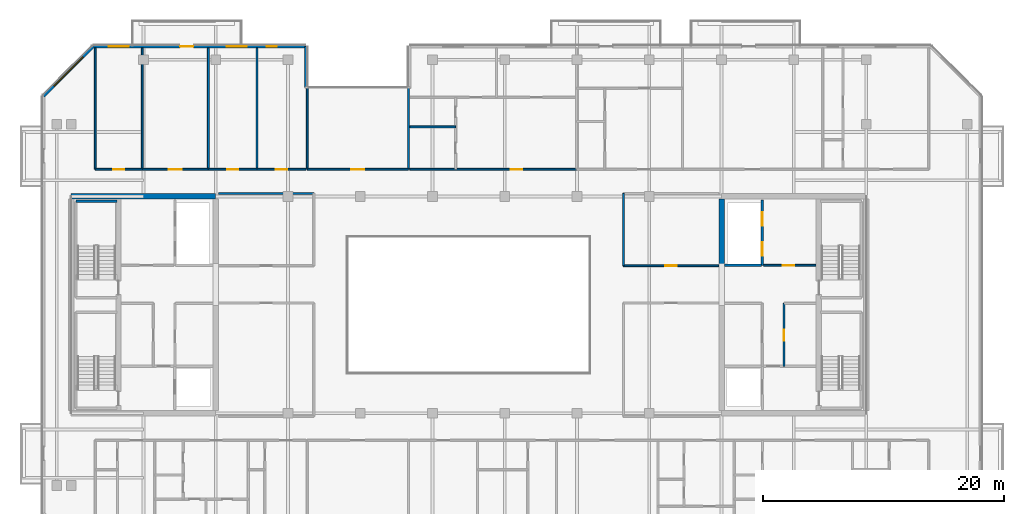
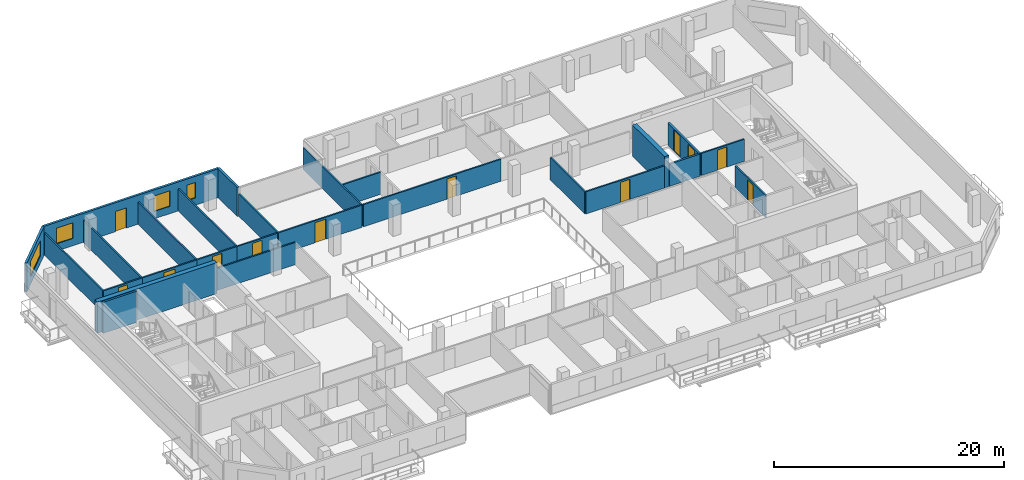
# One storey, part 13 of 20: 26 walls, 12 doors, 4 windows, 16 openings.
"""IFC4 building model written with IfcOpenShell, lengths in metres."""

from ifc_helpers import new_model, si_unit, direction, frame, frame_2d, origin, place, context, subcontext, project, spatial, rectangle, extrude, material, layer, layer_set, type_object, element, fill, save


model = new_model("IFC4")

# Units and contexts
model_context = context("Model", 3, precision=1e-05, world=origin(), true_north=direction((0.0, 1.0)))
body_context = subcontext(model_context, "Body", "Model", "MODEL_VIEW")
ifc_project = project(units=[si_unit("LENGTHUNIT", "METRE"), si_unit("AREAUNIT", "SQUARE_METRE"), si_unit("VOLUMEUNIT", "CUBIC_METRE"), si_unit("PLANEANGLEUNIT", "RADIAN"), si_unit("MASSUNIT", "GRAM", prefix="KILO")], contexts=[model_context])

# Site, building, storey
site_placement = place(None, origin())
site = spatial("IfcSite", under=ifc_project, at=site_placement, CompositionType="ELEMENT")
building_placement = place(site_placement, origin())
building = spatial("IfcBuilding", under=site, at=building_placement, Name="Tanjung Sevakor Pilgrim Tower", CompositionType="ELEMENT")
storey_placement = place(building_placement, frame((0.0, 0.0, 201.6298828125)))
storey = spatial("IfcBuildingStorey", under=building, at=storey_placement, Name="L56", CompositionType="ELEMENT", Elevation=201.6298828125)

# Walls
ifc_material_1 = material(Name="Concrete C60/75", Category="concrete")
ifc_layer_1 = layer(ifc_material_1, 0.449951171875)
ifc_layer_set_1 = layer_set([ifc_layer_1], Name="WALL-CW-450")
wall_type_1 = type_object("IfcWallType", Name="WALL-CW-450", PredefinedType="SHEAR", material=ifc_layer_set_1)
wall_1_placement = place(storey_placement, frame((36.0, 42.60009765625, 0.0), z_axis=(0.0, 0.0, 1.0), x_axis=(-1.0, 0.0, 0.0)))
element("IfcWall", 1, at=wall_1_placement, inside=storey, type_object=wall_type_1, Name="L56 W Core North Shear Wall", PredefinedType="SHEAR", context=body_context, shape_type="SweptSolid", body=[
    extrude(rectangle(XDim=12.0, YDim=0.449951171875, at=frame_2d((6.0, 0.0))), origin(), (0.0, 0.0, 1.0), 3.300048828125),
])
wall_2_placement = place(storey_placement, frame((78.0, 36.800048828125, 0.0), z_axis=(0.0, 0.0, 1.0), x_axis=(0.0, 1.0, 0.0)))
element("IfcWall", 2, at=wall_2_placement, inside=storey, type_object=wall_type_1, Name="L56 E Core Inner Shear Wall North", PredefinedType="SHEAR", context=body_context, shape_type="SweptSolid", body=[
    extrude(rectangle(XDim=5.574951171875, YDim=0.449951171875, at=frame_2d((2.78759765625, 0.0))), origin(), (0.0, 0.0, 1.0), 3.300048828125),
])

# Wall, opening, door
ifc_material_2 = material(Name="Concrete C40/50", Category="concrete")
ifc_layer_2 = layer(ifc_material_2, 0.14990234375)
ifc_layer_set_2 = layer_set([ifc_layer_2], Name="WT-COMP-150")
wall_type_2 = type_object("IfcWallType", Name="WT-COMP-150", PredefinedType="SOLIDWALL", material=ifc_layer_set_2)
wall_3_placement = place(storey_placement, frame((83.179931640625, 28.5, 0.0), z_axis=(0.0, 0.0, 1.0), x_axis=(0.0, 1.0, 0.0)))
wall_3 = element("IfcWall", 3, at=wall_3_placement, inside=storey, type_object=wall_type_2, Name="L56 Partition IW-L56-013", PredefinedType="SOLIDWALL", context=body_context, shape_type="SweptSolid", body=[
    extrude(rectangle(XDim=5.219970703125, YDim=0.14990234375, at=frame_2d((2.60986328125, 0.0))), origin(), (0.0, 0.0, 1.0), 2.35009765625),
])
opening_1_placement = place(wall_3_placement, frame((2.10009765625, 0.0, 0.0)))
opening_1 = element("IfcOpeningElement", 4, at=opening_1_placement, cuts=wall_3, Name="Opening ID-FD2", PredefinedType="OPENING", context=body_context, shape_type="SweptSolid", body=[
    extrude(rectangle(XDim=0.949951171875, YDim=2.14990234375, at=frame_2d((0.47509765625, 1.074951171875))), frame((0.0, 0.0849609375, 0.0), z_axis=(0.0, -1.0, 0.0), x_axis=(1.0, 0.0, 0.0)), (0.0, 0.0, 1.0), 0.169921875),
])
ifc_material_3 = material(Name="Fire-Rated Timber", Category="wood")
door_type_1 = type_object("IfcDoorType", Name="DT-FIRE-950", OperationType="NOTDEFINED", PredefinedType="DOOR", material=ifc_material_3)
door_1_placement = place(opening_1_placement, origin())
door_1 = element("IfcDoor", 5, at=door_1_placement, inside=storey, type_object=door_type_1, Name="L56 Housekeeping Pantry Door", OperationType="SINGLE_SWING_RIGHT", OverallHeight=2.14990234375, OverallWidth=0.949951171875, PredefinedType="DOOR", context=body_context, shape_type="SweptSolid", body=[
    extrude(rectangle(XDim=0.949951171875, YDim=2.14990234375, at=frame_2d((0.47509765625, 1.074951171875))), frame((0.0, 0.02490234375, 0.0), z_axis=(0.0, -1.0, 0.0), x_axis=(1.0, 0.0, 0.0)), (0.0, 0.0, 1.0), 0.050048828125),
])
fill(opening_1, door_1)

wall_4_placement = place(storey_placement, frame((81.5, 36.8798828125, 0.0), z_axis=(0.0, 0.0, 1.0), x_axis=(1.0, 0.0, 0.0)))
wall_4 = element("IfcWall", 6, at=wall_4_placement, inside=storey, type_object=wall_type_2, Name="L56 Partition IW-L56-016", PredefinedType="SOLIDWALL", context=body_context, shape_type="SweptSolid", body=[
    extrude(rectangle(XDim=4.330078125, YDim=0.14990234375, at=frame_2d((2.1650390625, 0.0))), origin(), (0.0, 0.0, 1.0), 2.35009765625),
])
opening_2_placement = place(wall_4_placement, frame((1.60009765625, 0.0, 0.0)))
opening_2 = element("IfcOpeningElement", 7, at=opening_2_placement, cuts=wall_4, Name="Opening ID-FD2", PredefinedType="OPENING", context=body_context, shape_type="SweptSolid", body=[
    extrude(rectangle(XDim=0.949951171875, YDim=2.14990234375, at=frame_2d((0.47509765625, 1.074951171875))), frame((0.0, 0.0849609375, 0.0), z_axis=(0.0, -1.0, 0.0), x_axis=(1.0, 0.0, 0.0)), (0.0, 0.0, 1.0), 0.169921875),
])
door_2_placement = place(opening_2_placement, origin())
door_2 = element("IfcDoor", 8, at=door_2_placement, inside=storey, type_object=door_type_1, Name="L56 Core Prayer Room Door", OperationType="SINGLE_SWING_RIGHT", OverallHeight=2.14990234375, OverallWidth=0.949951171875, PredefinedType="DOOR", context=body_context, shape_type="SweptSolid", body=[
    extrude(rectangle(XDim=0.949951171875, YDim=2.14990234375, at=frame_2d((0.47509765625, 1.074951171875))), frame((0.0, 0.02490234375, 0.0), z_axis=(0.0, -1.0, 0.0), x_axis=(1.0, 0.0, 0.0)), (0.0, 0.0, 1.0), 0.050048828125),
])
fill(opening_2, door_2)

# Wall
wall_5_placement = place(storey_placement, frame((36.2451171875, 42.85009765625, 0.0), z_axis=(0.0, 0.0, 1.0), x_axis=(1.0, 0.0, 0.0)))
element("IfcWall", 9, at=wall_5_placement, inside=storey, type_object=wall_type_2, Name="L56 Partition IW-L56-023", PredefinedType="SOLIDWALL", context=body_context, shape_type="SweptSolid", body=[
    extrude(rectangle(XDim=7.90478515625, YDim=0.14990234375, at=frame_2d((3.952392578125, 0.0))), origin(), (0.0, 0.0, 1.0), 2.35009765625),
])

# Wall, opening, door
wall_6_placement = place(storey_placement, frame((69.85009765625, 36.85009765625, 0.0), z_axis=(0.0, 0.0, 1.0), x_axis=(1.0, 0.0, 0.0)))
wall_6 = element("IfcWall", 10, at=wall_6_placement, inside=storey, type_object=wall_type_2, Name="L56 Partition IW-L56-028", PredefinedType="SOLIDWALL", context=body_context, shape_type="SweptSolid", body=[
    extrude(rectangle(XDim=7.90478515625, YDim=0.14990234375, at=frame_2d((3.952392578125, 0.0))), origin(), (0.0, 0.0, 1.0), 2.35009765625),
])
opening_3_placement = place(wall_6_placement, frame((3.4775390625, 0.0, 0.0)))
opening_3 = element("IfcOpeningElement", 11, at=opening_3_placement, cuts=wall_6, Name="Opening ID-RM1", PredefinedType="OPENING", context=body_context, shape_type="SweptSolid", body=[
    extrude(rectangle(XDim=0.949951171875, YDim=2.14990234375, at=frame_2d((0.47509765625, 1.074951171875))), frame((0.0, 0.0849609375, 0.0), z_axis=(0.0, -1.0, 0.0), x_axis=(1.0, 0.0, 0.0)), (0.0, 0.0, 1.0), 0.169921875),
])
ifc_material_4 = material(Name="Hardwood Timber", Category="wood")
door_type_2 = type_object("IfcDoorType", Name="DT-INT-950", OperationType="NOTDEFINED", PredefinedType="DOOR", material=ifc_material_4)
door_3_placement = place(opening_3_placement, origin())
door_3 = element("IfcDoor", 12, at=door_3_placement, inside=storey, type_object=door_type_2, Name="L56 East Inboard North Door", OperationType="SINGLE_SWING_RIGHT", OverallHeight=2.14990234375, OverallWidth=0.949951171875, PredefinedType="DOOR", context=body_context, shape_type="SweptSolid", body=[
    extrude(rectangle(XDim=0.949951171875, YDim=2.14990234375, at=frame_2d((0.47509765625, 1.074951171875))), frame((0.0, 0.02490234375, 0.0), z_axis=(0.0, -1.0, 0.0), x_axis=(1.0, 0.0, 0.0)), (0.0, 0.0, 1.0), 0.050048828125),
])
fill(opening_3, door_3)

# Wall
wall_7_placement = place(storey_placement, frame((69.85009765625, 36.85009765625, 0.0), z_axis=(0.0, 0.0, 1.0), x_axis=(0.0, 1.0, 0.0)))
element("IfcWall", 13, at=wall_7_placement, inside=storey, type_object=wall_type_2, Name="L56 Partition IW-L56-030", PredefinedType="SOLIDWALL", context=body_context, shape_type="SweptSolid", body=[
    extrude(rectangle(XDim=6.0, YDim=0.14990234375, at=frame_2d((3.0, 0.0))), origin(), (0.0, 0.0, 1.0), 2.35009765625),
])

# Wall, opening, door
wall_8_placement = place(storey_placement, frame((43.60009765625, 44.85009765625, 0.0), z_axis=(0.0, 0.0, 1.0), x_axis=(1.0, 0.0, 0.0)))
wall_8 = element("IfcWall", 14, at=wall_8_placement, inside=storey, type_object=wall_type_2, Name="L56 Partition IW-L56-034", PredefinedType="SOLIDWALL", context=body_context, shape_type="SweptSolid", body=[
    extrude(rectangle(XDim=8.39990234375, YDim=0.14990234375, at=frame_2d((4.199951171875, 0.0))), origin(), (0.0, 0.0, 1.0), 2.35009765625),
])
opening_4_placement = place(wall_8_placement, frame((3.64990234375, 0.0, 0.0)))
opening_4 = element("IfcOpeningElement", 15, at=opening_4_placement, cuts=wall_8, Name="Opening ID-RM2", PredefinedType="OPENING", context=body_context, shape_type="SweptSolid", body=[
    extrude(rectangle(XDim=1.10009765625, YDim=2.14990234375, at=frame_2d((0.550048828125, 1.074951171875))), frame((0.0, 0.0849609375, 0.0), z_axis=(0.0, -1.0, 0.0), x_axis=(1.0, 0.0, 0.0)), (0.0, 0.0, 1.0), 0.169921875),
])
ifc_material_5 = material(Name="Hardwood Timber", Category="wood")
door_type_3 = type_object("IfcDoorType", Name="DT-INT-1100", OperationType="NOTDEFINED", PredefinedType="DOOR", material=ifc_material_5)
door_4_placement = place(opening_4_placement, origin())
door_4 = element("IfcDoor", 16, at=door_4_placement, inside=storey, type_object=door_type_3, Name="L56 North Cleft Seminar Room Door", OperationType="SINGLE_SWING_RIGHT", OverallHeight=2.14990234375, OverallWidth=1.10009765625, PredefinedType="DOOR", context=body_context, shape_type="SweptSolid", body=[
    extrude(rectangle(XDim=1.10009765625, YDim=2.14990234375, at=frame_2d((0.550048828125, 1.074951171875))), frame((0.0, 0.02490234375, 0.0), z_axis=(0.0, -1.0, 0.0), x_axis=(1.0, 0.0, 0.0)), (0.0, 0.0, 1.0), 0.050048828125),
])
fill(opening_4, door_4)

# Walls
for number, where, z_axis, x_axis, name in (
    (17, (43.60009765625, 44.85009765625, 0.0), (0.0, 0.0, 1.0), (0.0, 1.0, 0.0), "L56 Partition IW-L56-035"),
    (18, (52.0, 44.85009765625, 0.0), (0.0, 0.0, 1.0), (0.0, 1.0, 0.0), "L56 Partition IW-L56-036"),
    (19, (26.0, 44.85009765625, 0.0), (0.0, 0.0, 1.0), (0.0, 1.0, 0.0), "L56 Partition IW-L56-074"),
    (20, (29.900390625, 44.85009765625, 0.0), (0.0, 0.0, 1.0), (0.0, 1.0, 0.0), "L56 Partition IW-L56-075"),
):
    element("IfcWall", number, at=place(storey_placement, frame(where, z_axis=z_axis, x_axis=x_axis)), inside=storey, type_object=wall_type_2, Name=name, PredefinedType="SOLIDWALL", context=body_context, shape_type="SweptSolid", body=[
        extrude(rectangle(XDim=10.079833984375, YDim=0.14990234375, at=frame_2d((5.0400390625, 0.0))), origin(), (0.0, 0.0, 1.0), 2.35009765625),
    ])

# Wall, opening, door
wall_9_placement = place(storey_placement, frame((26.0, 44.85009765625, 0.0), z_axis=(0.0, 0.0, 1.0), x_axis=(1.0, 0.0, 0.0)))
wall_9 = element("IfcWall", 21, at=wall_9_placement, inside=storey, type_object=wall_type_2, Name="L56 Partition IW-L56-076", PredefinedType="SOLIDWALL", context=body_context, shape_type="SweptSolid", body=[
    extrude(rectangle(XDim=3.900390625, YDim=0.14990234375, at=frame_2d((1.9501953125, 0.0))), origin(), (0.0, 0.0, 1.0), 2.35009765625),
])
opening_5_placement = place(wall_9_placement, frame((1.47509765625, 0.0, 0.0)))
opening_5 = element("IfcOpeningElement", 22, at=opening_5_placement, cuts=wall_9, Name="Opening ID-FD2", PredefinedType="OPENING", context=body_context, shape_type="SweptSolid", body=[
    extrude(rectangle(XDim=0.949951171875, YDim=2.14990234375, at=frame_2d((0.47509765625, 1.074951171875))), frame((0.0, 0.0849609375, 0.0), z_axis=(0.0, -1.0, 0.0), x_axis=(1.0, 0.0, 0.0)), (0.0, 0.0, 1.0), 0.169921875),
])
door_5_placement = place(opening_5_placement, origin())
door_5 = element("IfcDoor", 23, at=door_5_placement, inside=storey, type_object=door_type_1, Name="Study Room Entrance", OperationType="SINGLE_SWING_LEFT", OverallHeight=2.14990234375, OverallWidth=0.949951171875, PredefinedType="DOOR", context=body_context, shape_type="SweptSolid", body=[
    extrude(rectangle(XDim=0.949951171875, YDim=2.14990234375, at=frame_2d((0.47509765625, 1.074951171875))), frame((0.0, 0.02490234375, 0.0), z_axis=(0.0, -1.0, 0.0), x_axis=(1.0, 0.0, 0.0)), (0.0, 0.0, 1.0), 0.050048828125),
])
fill(opening_5, door_5)

# Wall
wall_10_placement = place(storey_placement, frame((35.39013671875, 44.85009765625, 0.0), z_axis=(0.0, 0.0, 1.0), x_axis=(0.0, 1.0, 0.0)))
element("IfcWall", 24, at=wall_10_placement, inside=storey, type_object=wall_type_2, Name="L56 Partition IW-L56-077", PredefinedType="SOLIDWALL", context=body_context, shape_type="SweptSolid", body=[
    extrude(rectangle(XDim=10.079833984375, YDim=0.14990234375, at=frame_2d((5.0400390625, 0.0))), origin(), (0.0, 0.0, 1.0), 2.35009765625),
])

# Wall, opening, door
wall_11_placement = place(storey_placement, frame((29.900390625, 44.85009765625, 0.0), z_axis=(0.0, 0.0, 1.0), x_axis=(1.0, 0.0, 0.0)))
wall_11 = element("IfcWall", 25, at=wall_11_placement, inside=storey, type_object=wall_type_2, Name="L56 Partition IW-L56-078", PredefinedType="SOLIDWALL", context=body_context, shape_type="SweptSolid", body=[
    extrude(rectangle(XDim=5.48974609375, YDim=0.14990234375, at=frame_2d((2.744873046875, 0.0))), origin(), (0.0, 0.0, 1.0), 2.35009765625),
])
opening_6_placement = place(wall_11_placement, frame((2.19482421875, 0.0, 0.0)))
opening_6 = element("IfcOpeningElement", 26, at=opening_6_placement, cuts=wall_11, Name="Opening ID-FD0", PredefinedType="OPENING", context=body_context, shape_type="SweptSolid", body=[
    extrude(rectangle(XDim=1.10009765625, YDim=2.14990234375, at=frame_2d((0.550048828125, 1.074951171875))), frame((0.0, 0.0849609375, 0.0), z_axis=(0.0, -1.0, 0.0), x_axis=(1.0, 0.0, 0.0)), (0.0, 0.0, 1.0), 0.169921875),
])
ifc_material_6 = material(Name="Fire-Rated Steel S355J2", Category="steel")
door_type_4 = type_object("IfcDoorType", Name="DT-FIRE-1100", OperationType="NOTDEFINED", PredefinedType="DOOR", material=ifc_material_6)
door_6_placement = place(opening_6_placement, origin())
door_6 = element("IfcDoor", 27, at=door_6_placement, inside=storey, type_object=door_type_4, Name="Communal Lounge Door", OperationType="SINGLE_SWING_RIGHT", OverallHeight=2.14990234375, OverallWidth=1.10009765625, PredefinedType="DOOR", context=body_context, shape_type="SweptSolid", body=[
    extrude(rectangle(XDim=1.10009765625, YDim=2.14990234375, at=frame_2d((0.550048828125, 1.074951171875))), frame((0.0, 0.02490234375, 0.0), z_axis=(0.0, -1.0, 0.0), x_axis=(1.0, 0.0, 0.0)), (0.0, 0.0, 1.0), 0.050048828125),
])
fill(opening_6, door_6)

# Wall
wall_12_placement = place(storey_placement, frame((39.43505859375, 44.85009765625, 0.0), z_axis=(0.0, 0.0, 1.0), x_axis=(0.0, 1.0, 0.0)))
element("IfcWall", 28, at=wall_12_placement, inside=storey, type_object=wall_type_2, Name="L56 Partition IW-L56-079", PredefinedType="SOLIDWALL", context=body_context, shape_type="SweptSolid", body=[
    extrude(rectangle(XDim=10.079833984375, YDim=0.14990234375, at=frame_2d((5.0400390625, 0.0))), origin(), (0.0, 0.0, 1.0), 2.35009765625),
])

# Wall, opening, door
wall_13_placement = place(storey_placement, frame((35.39013671875, 44.85009765625, 0.0), z_axis=(0.0, 0.0, 1.0), x_axis=(1.0, 0.0, 0.0)))
wall_13 = element("IfcWall", 29, at=wall_13_placement, inside=storey, type_object=wall_type_2, Name="L56 Partition IW-L56-080", PredefinedType="SOLIDWALL", context=body_context, shape_type="SweptSolid", body=[
    extrude(rectangle(XDim=4.044921875, YDim=0.14990234375, at=frame_2d((2.0224609375, 0.0))), origin(), (0.0, 0.0, 1.0), 2.35009765625),
])
opening_7_placement = place(wall_13_placement, frame((1.547607421875, 0.0, 0.0)))
opening_7 = element("IfcOpeningElement", 30, at=opening_7_placement, cuts=wall_13, Name="Opening ID-FD2", PredefinedType="OPENING", context=body_context, shape_type="SweptSolid", body=[
    extrude(rectangle(XDim=0.949951171875, YDim=2.14990234375, at=frame_2d((0.47509765625, 1.074951171875))), frame((0.0, 0.0849609375, 0.0), z_axis=(0.0, -1.0, 0.0), x_axis=(1.0, 0.0, 0.0)), (0.0, 0.0, 1.0), 0.169921875),
])
door_7_placement = place(opening_7_placement, origin())
door_7 = element("IfcDoor", 31, at=door_7_placement, inside=storey, type_object=door_type_1, Name="Study Room Entrance", OperationType="SINGLE_SWING_LEFT", OverallHeight=2.14990234375, OverallWidth=0.949951171875, PredefinedType="DOOR", context=body_context, shape_type="SweptSolid", body=[
    extrude(rectangle(XDim=0.949951171875, YDim=2.14990234375, at=frame_2d((0.47509765625, 1.074951171875))), frame((0.0, 0.02490234375, 0.0), z_axis=(0.0, -1.0, 0.0), x_axis=(1.0, 0.0, 0.0)), (0.0, 0.0, 1.0), 0.050048828125),
])
fill(opening_7, door_7)

wall_14_placement = place(storey_placement, frame((39.43505859375, 44.85009765625, 0.0), z_axis=(0.0, 0.0, 1.0), x_axis=(1.0, 0.0, 0.0)))
wall_14 = element("IfcWall", 32, at=wall_14_placement, inside=storey, type_object=wall_type_2, Name="L56 Partition IW-L56-081", PredefinedType="SOLIDWALL", context=body_context, shape_type="SweptSolid", body=[
    extrude(rectangle(XDim=4.044921875, YDim=0.14990234375, at=frame_2d((2.0224609375, 0.0))), origin(), (0.0, 0.0, 1.0), 2.35009765625),
])
opening_8_placement = place(wall_14_placement, frame((1.54736328125, 0.0, 0.0)))
opening_8 = element("IfcOpeningElement", 33, at=opening_8_placement, cuts=wall_14, Name="Opening ID-FD2", PredefinedType="OPENING", context=body_context, shape_type="SweptSolid", body=[
    extrude(rectangle(XDim=0.949951171875, YDim=2.14990234375, at=frame_2d((0.47509765625, 1.074951171875))), frame((0.0, 0.0849609375, 0.0), z_axis=(0.0, -1.0, 0.0), x_axis=(1.0, 0.0, 0.0)), (0.0, 0.0, 1.0), 0.169921875),
])
door_8_placement = place(opening_8_placement, origin())
door_8 = element("IfcDoor", 34, at=door_8_placement, inside=storey, type_object=door_type_1, Name="Study Room Entrance", OperationType="SINGLE_SWING_RIGHT", OverallHeight=2.14990234375, OverallWidth=0.949951171875, PredefinedType="DOOR", context=body_context, shape_type="SweptSolid", body=[
    extrude(rectangle(XDim=0.949951171875, YDim=2.14990234375, at=frame_2d((0.47509765625, 1.074951171875))), frame((0.0, 0.02490234375, 0.0), z_axis=(0.0, -1.0, 0.0), x_axis=(1.0, 0.0, 0.0)), (0.0, 0.0, 1.0), 0.050048828125),
])
fill(opening_8, door_8)

wall_15_placement = place(storey_placement, frame((52.1201171875, 44.85009765625, 0.0), z_axis=(0.0, 0.0, 1.0), x_axis=(1.0, 0.0, 0.0)))
wall_15 = element("IfcWall", 35, at=wall_15_placement, inside=storey, type_object=wall_type_2, Name="L56 Partition IW-L56-088", PredefinedType="SOLIDWALL", context=body_context, shape_type="SweptSolid", body=[
    extrude(rectangle(XDim=13.835693359375, YDim=0.14990234375, at=frame_2d((6.91796875, 0.0))), origin(), (0.0, 0.0, 1.0), 2.35009765625),
])
opening_9_placement = place(wall_15_placement, frame((8.3828125, 0.0, 0.0)))
opening_9 = element("IfcOpeningElement", 36, at=opening_9_placement, cuts=wall_15, Name="Opening ID-FD2", PredefinedType="OPENING", context=body_context, shape_type="SweptSolid", body=[
    extrude(rectangle(XDim=0.949951171875, YDim=2.14990234375, at=frame_2d((0.47509765625, 1.074951171875))), frame((0.0, 0.0849609375, 0.0), z_axis=(0.0, -1.0, 0.0), x_axis=(1.0, 0.0, 0.0)), (0.0, 0.0, 1.0), 0.169921875),
])
door_9_placement = place(opening_9_placement, origin())
door_9 = element("IfcDoor", 37, at=door_9_placement, inside=storey, type_object=door_type_1, Name="Suite Entrance", OperationType="SINGLE_SWING_LEFT", OverallHeight=2.14990234375, OverallWidth=0.949951171875, PredefinedType="DOOR", context=body_context, shape_type="SweptSolid", body=[
    extrude(rectangle(XDim=0.949951171875, YDim=2.14990234375, at=frame_2d((0.47509765625, 1.074951171875))), frame((0.0, 0.02490234375, 0.0), z_axis=(0.0, -1.0, 0.0), x_axis=(1.0, 0.0, 0.0)), (0.0, 0.0, 1.0), 0.050048828125),
])
fill(opening_9, door_9)

# Wall
ifc_material_7 = material(Name="Precast concrete C45/55", Category="concrete")
ifc_layer_3 = layer(ifc_material_7, 0.219970703125)
ifc_layer_set_3 = layer_set([ifc_layer_3], Name="WT-EW-STN4")
wall_type_3 = type_object("IfcWallType", Name="WT-EW-STN4", PredefinedType="SOLIDWALL", material=ifc_layer_set_3)
wall_16_placement = place(storey_placement, frame((43.489990234375, 51.639892578125, 0.0), z_axis=(0.0, 0.0, 1.0), x_axis=(0.0, 1.0, 0.0)))
element("IfcWall", 38, at=wall_16_placement, inside=storey, type_object=wall_type_3, Name="L56 MAIN Exterior Wall 12", PredefinedType="SOLIDWALL", context=body_context, shape_type="SweptSolid", body=[
    extrude(rectangle(XDim=3.400146484375, YDim=0.219970703125, at=frame_2d((1.7001953125, 0.0))), origin(), (0.0, 0.0, 1.0), 3.080078125),
])

# Wall, openings, door, windows
wall_17_placement = place(storey_placement, frame((43.489990234375, 55.0400390625, 0.0), z_axis=(0.0, 0.0, 1.0), x_axis=(-1.0, 0.0, 0.0)))
wall_17 = element("IfcWall", 39, at=wall_17_placement, inside=storey, type_object=wall_type_3, Name="L56 MAIN Exterior Wall 13", PredefinedType="SOLIDWALL", context=body_context, shape_type="SweptSolid", body=[
    extrude(rectangle(XDim=17.644287109375, YDim=0.219970703125, at=frame_2d((8.822265625, 0.0))), origin(), (0.0, 0.0, 1.0), 3.080078125),
])
opening_10_placement = place(wall_17_placement, frame((9.340087890625, 0.0, 0.0)))
opening_10 = element("IfcOpeningElement", 40, at=opening_10_placement, cuts=wall_17, Name="Opening ED-BAL-1100", PredefinedType="OPENING", context=body_context, shape_type="SweptSolid", body=[
    extrude(rectangle(XDim=1.10009765625, YDim=2.14990234375, at=frame_2d((0.550048828125, 1.074951171875))), frame((0.0, 0.119873046875, 0.0), z_axis=(0.0, -1.0, 0.0), x_axis=(1.0, 0.0, 0.0)), (0.0, 0.0, 1.0), 0.239990234375),
])
opening_11_placement = place(wall_17_placement, frame((14.71484375, 0.0, 0.780029296875)))
opening_11 = element("IfcOpeningElement", 41, at=opening_11_placement, cuts=wall_17, Name="Opening WN-Z4-1660", PredefinedType="OPENING", context=body_context, shape_type="SweptSolid", body=[
    extrude(rectangle(XDim=1.64990234375, YDim=1.659912109375, at=frame_2d((0.824951171875, 0.830078125))), frame((0.0, 0.119873046875, 0.0), z_axis=(0.0, -1.0, 0.0), x_axis=(1.0, 0.0, 0.0)), (0.0, 0.0, 1.0), 0.239990234375),
])
opening_12_placement = place(wall_17_placement, frame((4.932373046875, 0.0, 0.780029296875)))
opening_12 = element("IfcOpeningElement", 42, at=opening_12_placement, cuts=wall_17, Name="Opening WN-Z4-1660", PredefinedType="OPENING", context=body_context, shape_type="SweptSolid", body=[
    extrude(rectangle(XDim=1.64990234375, YDim=1.659912109375, at=frame_2d((0.824951171875, 0.830078125))), frame((0.0, 0.119873046875, 0.0), z_axis=(0.0, -1.0, 0.0), x_axis=(1.0, 0.0, 0.0)), (0.0, 0.0, 1.0), 0.239990234375),
])
opening_13_placement = place(wall_17_placement, frame((2.407470703125, 0.0, 0.780029296875)))
opening_13 = element("IfcOpeningElement", 43, at=opening_13_placement, cuts=wall_17, Name="Opening WN-SLM", PredefinedType="OPENING", context=body_context, shape_type="SweptSolid", body=[
    extrude(rectangle(XDim=0.85009765625, YDim=1.64990234375, at=frame_2d((0.425048828125, 0.824951171875))), frame((0.0, 0.119873046875, 0.0), z_axis=(0.0, -1.0, 0.0), x_axis=(1.0, 0.0, 0.0)), (0.0, 0.0, 1.0), 0.239990234375),
])
ifc_material_8 = material(Name="Anodised Aluminium and Laminated Glass", Category="aluminium")
door_type_5 = type_object("IfcDoorType", Name="DTYP-ED-BAL-1100", OperationType="NOTDEFINED", PredefinedType="DOOR", material=ifc_material_8)
door_10_placement = place(opening_10_placement, frame((1.10009765625, 0.0, 0.0), z_axis=(0.0, 0.0, 1.0), x_axis=(-1.0, 0.0, 0.0)))
door_10 = element("IfcDoor", 44, at=door_10_placement, inside=storey, type_object=door_type_5, Name="L56 Balcony Door MAIN-N1", OperationType="SINGLE_SWING_RIGHT", OverallHeight=2.14990234375, OverallWidth=1.10009765625, PredefinedType="DOOR", context=body_context, shape_type="SweptSolid", body=[
    extrude(rectangle(XDim=1.10009765625, YDim=2.14990234375, at=frame_2d((0.550048828125, 1.074951171875))), frame((0.0, 0.02490234375, 0.0), z_axis=(0.0, -1.0, 0.0), x_axis=(1.0, 0.0, 0.0)), (0.0, 0.0, 1.0), 0.050048828125),
])
fill(opening_10, door_10)
ifc_material_9 = material(Name="Thermally Broken Aluminium and Low-E Glass", Category="aluminium")
window_type_1 = type_object("IfcWindowType", Name="WTYP-WN-SLM", PartitioningType="SINGLE_PANEL", PredefinedType="WINDOW", material=ifc_material_9)
window_1_placement = place(opening_13_placement, origin())
window_1 = element("IfcWindow", 45, at=window_1_placement, inside=storey, type_object=window_type_1, Name="L56 Facade Window 03", OverallHeight=1.64990234375, OverallWidth=0.85009765625, PartitioningType="SINGLE_PANEL", PredefinedType="WINDOW", context=body_context, shape_type="SweptSolid", body=[
    extrude(rectangle(XDim=0.85009765625, YDim=1.64990234375, at=frame_2d((0.425048828125, 0.824951171875))), frame((0.0, 0.030029296875, 0.0), z_axis=(0.0, -1.0, 0.0), x_axis=(1.0, 0.0, 0.0)), (0.0, 0.0, 1.0), 0.06005859375),
])
fill(opening_13, window_1)
ifc_material_10 = material(Name="Thermally Broken Aluminium and Low-E Glass", Category="aluminium")
window_type_2 = type_object("IfcWindowType", Name="WTYP-WN-Z4-1660", PartitioningType="DOUBLE_PANEL_VERTICAL", PredefinedType="WINDOW", material=ifc_material_10)
window_2_placement = place(opening_11_placement, origin())
window_2 = element("IfcWindow", 46, at=window_2_placement, inside=storey, type_object=window_type_2, Name="L56 Facade Window 01", OverallHeight=1.659912109375, OverallWidth=1.64990234375, PartitioningType="SINGLE_PANEL", PredefinedType="WINDOW", context=body_context, shape_type="SweptSolid", body=[
    extrude(rectangle(XDim=1.64990234375, YDim=1.659912109375, at=frame_2d((0.824951171875, 0.830078125))), frame((0.0, 0.030029296875, 0.0), z_axis=(0.0, -1.0, 0.0), x_axis=(1.0, 0.0, 0.0)), (0.0, 0.0, 1.0), 0.06005859375),
])
fill(opening_11, window_2)
window_3_placement = place(opening_12_placement, origin())
window_3 = element("IfcWindow", 47, at=window_3_placement, inside=storey, type_object=window_type_2, Name="L56 Facade Window 02", OverallHeight=1.659912109375, OverallWidth=1.64990234375, PartitioningType="SINGLE_PANEL", PredefinedType="WINDOW", context=body_context, shape_type="SweptSolid", body=[
    extrude(rectangle(XDim=1.64990234375, YDim=1.659912109375, at=frame_2d((0.824951171875, 0.830078125))), frame((0.0, 0.030029296875, 0.0), z_axis=(0.0, -1.0, 0.0), x_axis=(1.0, 0.0, 0.0)), (0.0, 0.0, 1.0), 0.06005859375),
])
fill(opening_12, window_3)

# Wall, opening, window
wall_18_placement = place(storey_placement, frame((25.845703125, 55.0400390625, 0.0), z_axis=(0.0, 0.0, 1.0), x_axis=(-0.707106781187, -0.707106781187, 0.0)))
wall_18 = element("IfcWall", 48, at=wall_18_placement, inside=storey, type_object=wall_type_3, Name="L56 MAIN Sculpted Corner Wall 13", PredefinedType="SOLIDWALL", context=body_context, shape_type="SweptSolid", body=[
    extrude(rectangle(XDim=5.848876953125, YDim=0.219970703125, at=frame_2d((2.92431640625, 0.0))), origin(), (0.0, 0.0, 1.0), 3.080078125),
])
opening_14_placement = place(wall_18_placement, frame((1.224365234375, 0.0, 0.780029296875)))
opening_14 = element("IfcOpeningElement", 49, at=opening_14_placement, cuts=wall_18, Name="Opening WN-CHM-1660", PredefinedType="OPENING", context=body_context, shape_type="SweptSolid", body=[
    extrude(rectangle(XDim=3.39990234375, YDim=1.659912109375, at=frame_2d((1.699951171875, 0.830078125))), frame((0.0, 0.119873046875, 0.0), z_axis=(0.0, -1.0, 0.0), x_axis=(1.0, 0.0, 0.0)), (0.0, 0.0, 1.0), 0.239990234375),
])
ifc_material_11 = material(Name="Thermally Broken Aluminium and Low-E Glass", Category="aluminium")
window_type_3 = type_object("IfcWindowType", Name="WTYP-WN-CHM-1660", PartitioningType="DOUBLE_PANEL_VERTICAL", PredefinedType="WINDOW", material=ifc_material_11)
window_4_placement = place(opening_14_placement, origin())
window_4 = element("IfcWindow", 50, at=window_4_placement, inside=storey, type_object=window_type_3, Name="L56 Facade Window 01", OverallHeight=1.659912109375, OverallWidth=3.39990234375, PartitioningType="SINGLE_PANEL", PredefinedType="WINDOW", context=body_context, shape_type="SweptSolid", body=[
    extrude(rectangle(XDim=3.39990234375, YDim=1.659912109375, at=frame_2d((1.699951171875, 0.830078125))), frame((0.0, 0.030029296875, 0.0), z_axis=(0.0, -1.0, 0.0), x_axis=(1.0, 0.0, 0.0)), (0.0, 0.0, 1.0), 0.06005859375),
])
fill(opening_14, window_4)

# Walls
ifc_material_12 = material(Name="Concrete C40/50", Category="concrete")
ifc_layer_4 = layer(ifc_material_12, 0.199951171875)
ifc_layer_set_4 = layer_set([ifc_layer_4], Name="WT-FIRE-200")
wall_type_4 = type_object("IfcWallType", Name="WT-FIRE-200", PredefinedType="SOLIDWALL", material=ifc_layer_set_4)
wall_19_placement = place(storey_placement, frame((27.800048828125, 42.199951171875, 0.0), z_axis=(0.0, 0.0, 1.0), x_axis=(-1.0, 0.0, 0.0)))
element("IfcWall", 51, at=wall_19_placement, inside=storey, type_object=wall_type_4, Name="L56 TS-W2 Shaft Wall 2", PredefinedType="SOLIDWALL", context=body_context, shape_type="SweptSolid", body=[
    extrude(rectangle(XDim=3.400146484375, YDim=0.199951171875, at=frame_2d((1.7001953125, 0.0))), origin(), (0.0, 0.0, 1.0), 3.300048828125),
])
ifc_material_13 = material(Name="Concrete C40/50", Category="concrete")
ifc_layer_5 = layer(ifc_material_13, 0.199951171875)
ifc_layer_set_5 = layer_set([ifc_layer_5], Name="WT-FPRT-200")
wall_type_5 = type_object("IfcWallType", Name="WT-FPRT-200", PredefinedType="SOLIDWALL", material=ifc_layer_set_5)
wall_20_placement = place(storey_placement, frame((78.2451171875, 36.8798828125, 0.0), z_axis=(0.0, 0.0, 1.0), x_axis=(1.0, 0.0, 0.0)))
element("IfcWall", 52, at=wall_20_placement, inside=storey, type_object=wall_type_5, Name="L56 Partition IW-L56-017", PredefinedType="SOLIDWALL", context=body_context, shape_type="SweptSolid", body=[
    extrude(rectangle(XDim=3.074951171875, YDim=0.199951171875, at=frame_2d((1.53759765625, 0.0))), origin(), (0.0, 0.0, 1.0), 2.35009765625),
])

# Wall, openings, doors
wall_21_placement = place(storey_placement, frame((81.3798828125, 36.8798828125, 0.0), z_axis=(0.0, 0.0, 1.0), x_axis=(0.0, 1.0, 0.0)))
wall_21 = element("IfcWall", 53, at=wall_21_placement, inside=storey, type_object=wall_type_5, Name="L56 Partition IW-L56-018", PredefinedType="SOLIDWALL", context=body_context, shape_type="SweptSolid", body=[
    extrude(rectangle(XDim=5.420166015625, YDim=0.199951171875, at=frame_2d((2.7099609375, 0.0))), origin(), (0.0, 0.0, 1.0), 2.35009765625),
])
opening_15_placement = place(wall_21_placement, frame((0.800048828125, 0.0, 0.0)))
opening_15 = element("IfcOpeningElement", 54, at=opening_15_placement, cuts=wall_21, Name="Opening LD-1100", PredefinedType="OPENING", context=body_context, shape_type="SweptSolid", body=[
    extrude(rectangle(XDim=1.10009765625, YDim=2.199951171875, at=frame_2d((0.550048828125, 1.10009765625))), frame((0.0, 0.10986328125, 0.0), z_axis=(0.0, -1.0, 0.0), x_axis=(1.0, 0.0, 0.0)), (0.0, 0.0, 1.0), 0.219970703125),
])
opening_16_placement = place(wall_21_placement, frame((3.300048828125, 0.0, 0.0)))
opening_16 = element("IfcOpeningElement", 55, at=opening_16_placement, cuts=wall_21, Name="Opening LD-1100", PredefinedType="OPENING", context=body_context, shape_type="SweptSolid", body=[
    extrude(rectangle(XDim=1.10009765625, YDim=2.199951171875, at=frame_2d((0.550048828125, 1.10009765625))), frame((0.0, 0.10986328125, 0.0), z_axis=(0.0, -1.0, 0.0), x_axis=(1.0, 0.0, 0.0)), (0.0, 0.0, 1.0), 0.219970703125),
])
ifc_material_14 = material(Name="Brushed Stainless Steel S355J2", Category="steel")
door_type_6 = type_object("IfcDoorType", Name="DT-LIFT-1100", OperationType="SLIDING_TO_LEFT", PredefinedType="DOOR", material=ifc_material_14)
door_11_placement = place(opening_15_placement, origin())
door_11 = element("IfcDoor", 56, at=door_11_placement, inside=storey, type_object=door_type_6, Name="LD-PLH1-E", OperationType="SLIDING_TO_LEFT", OverallHeight=2.199951171875, OverallWidth=1.10009765625, PredefinedType="DOOR", context=body_context, shape_type="SweptSolid", body=[
    extrude(rectangle(XDim=1.10009765625, YDim=2.199951171875, at=frame_2d((0.550048828125, 1.10009765625))), frame((0.0, 0.02490234375, 0.0), z_axis=(0.0, -1.0, 0.0), x_axis=(1.0, 0.0, 0.0)), (0.0, 0.0, 1.0), 0.050048828125),
])
fill(opening_15, door_11)
door_12_placement = place(opening_16_placement, origin())
door_12 = element("IfcDoor", 57, at=door_12_placement, inside=storey, type_object=door_type_6, Name="LD-PLH2-E", OperationType="SLIDING_TO_RIGHT", OverallHeight=2.199951171875, OverallWidth=1.10009765625, PredefinedType="DOOR", context=body_context, shape_type="SweptSolid", body=[
    extrude(rectangle(XDim=1.10009765625, YDim=2.199951171875, at=frame_2d((0.550048828125, 1.10009765625))), frame((0.0, 0.02490234375, 0.0), z_axis=(0.0, -1.0, 0.0), x_axis=(1.0, 0.0, 0.0)), (0.0, 0.0, 1.0), 0.050048828125),
])
fill(opening_16, door_12)

# Wall
ifc_material_15 = material(Name="Gypsum Board Partition", Category="gypsum board")
ifc_layer_6 = layer(ifc_material_15, 0.14990234375)
ifc_layer_set_6 = layer_set([ifc_layer_6], Name="WT-PART-150")
wall_type_6 = type_object("IfcWallType", Name="WT-PART-150", PredefinedType="PARTITIONING", material=ifc_layer_set_6)
wall_22_placement = place(storey_placement, frame((52.1201171875, 48.378173828125, 0.0), z_axis=(0.0, 0.0, 1.0), x_axis=(1.0, 0.0, 0.0)))
element("IfcWall", 58, at=wall_22_placement, inside=storey, type_object=wall_type_6, Name="L56 Partition IW-L56-084", PredefinedType="PARTITIONING", context=body_context, shape_type="SweptSolid", body=[
    extrude(rectangle(XDim=3.7998046875, YDim=0.14990234375, at=frame_2d((1.89990234375, 0.0))), origin(), (0.0, 0.0, 1.0), 2.35009765625),
])

save(model, "model.ifc")
